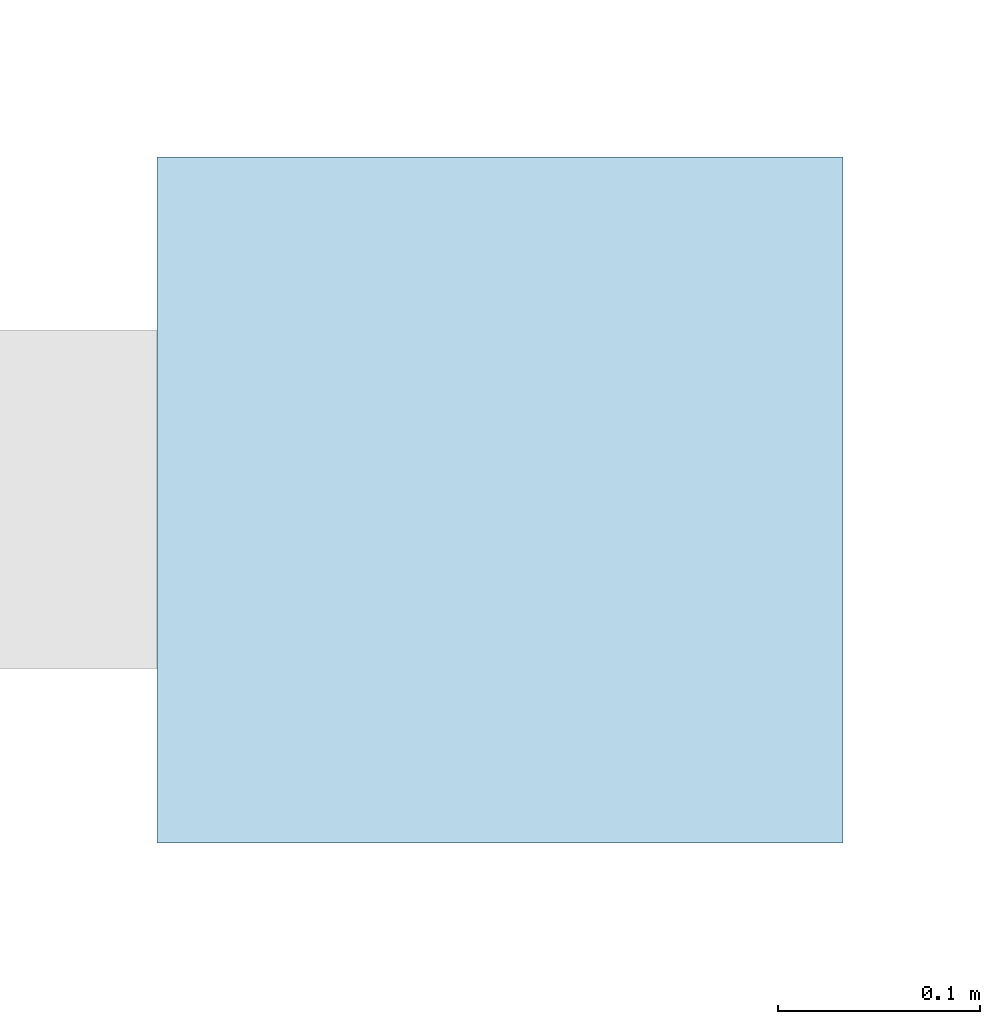
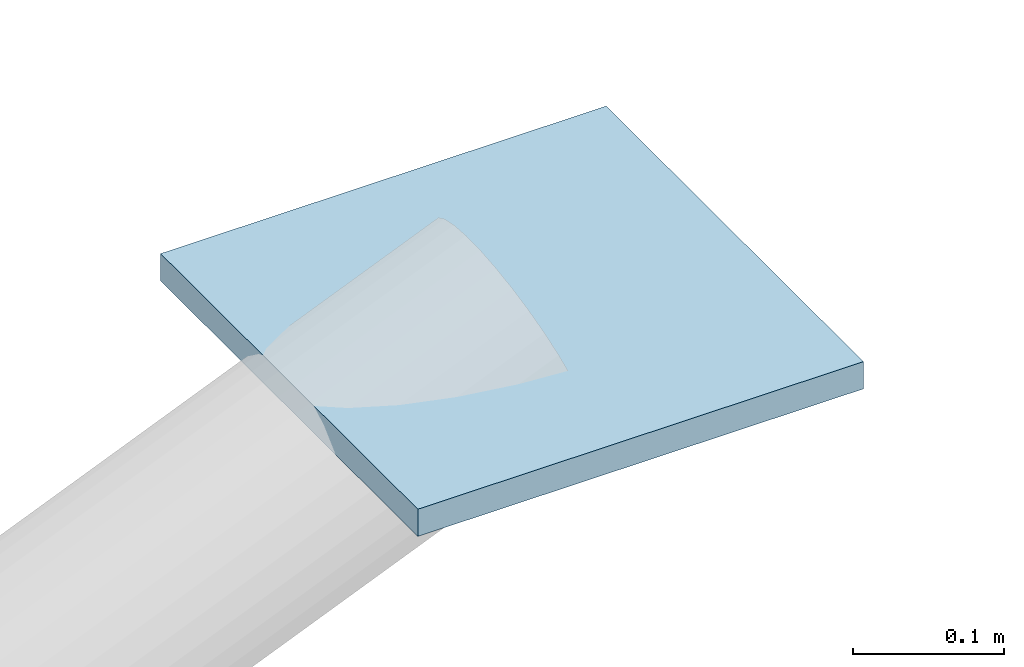
# One storey, part 117 of 140: 1 plate.
"""IFC4 building model written with IfcOpenShell, lengths in metres."""

import ifcopenshell
import ifcopenshell.guid

model = None  # the IFC model being written
_history = None  # IfcOwnerHistory: only IFC2X3 demands one
_inside = {}  # id of a spatial element -> (the spatial element, [elements in it])
_under = {}  # id of a project, library or spatial element -> (it, [spatial elements below it])
_declared = {}  # id of a project -> (the project, [libraries it declares])
_typed = {}  # id of a type object -> (the type object, [elements of that type])
_made_of = {}  # id of a material, layer set ... -> (it, [elements and type objects made of it])


def new_model(schema):
    """Start an empty IFC model of exactly this schema.

    Asked for "IFC4X3", IfcOpenShell would pick the latest addendum, in which some entities
    have other attributes; the version numbers below select the first issue.
    IFC2X3 requires an IfcOwnerHistory on every rooted entity: one is made here for all.
    """
    global model, _history
    if schema == "IFC4X3":
        model = ifcopenshell.file(schema_version=(4, 3, 0, 0))
    else:
        model = ifcopenshell.file(schema=schema)
    _inside.clear()
    _under.clear()
    _declared.clear()
    _typed.clear()
    _made_of.clear()
    _history = None
    if model.schema == "IFC2X3":
        org = make("IfcOrganization", Name="unknown")
        user = make(
            "IfcPersonAndOrganization",
            ThePerson=make("IfcPerson", FamilyName="unknown"),
            TheOrganization=org,
        )
        app = make(
            "IfcApplication",
            ApplicationDeveloper=org,
            Version="unknown",
            ApplicationFullName="unknown",
            ApplicationIdentifier="unknown",
        )
        _history = make(
            "IfcOwnerHistory",
            OwningUser=user,
            OwningApplication=app,
            ChangeAction="ADDED",
            CreationDate=0,
        )
    return model


def make(cls, **values):
    """One entity of the class cls with the attributes given. An attribute that is None is left unset."""
    return model.create_entity(
        cls, **{name: value for name, value in values.items() if value is not None}
    )


def rooted(cls, **values):
    """An entity with a GlobalId (a new one), such as an element, a storey or a relation."""
    return make(cls, GlobalId=ifcopenshell.guid.new(), OwnerHistory=_history, **values)


def si_unit(unit_type, name, prefix=None):
    """IfcSIUnit, for example si_unit("LENGTHUNIT", "METRE", prefix="MILLI")."""
    return make("IfcSIUnit", UnitType=unit_type, Prefix=prefix, Name=name)


def assignment(units):
    """IfcUnitAssignment: the units of a project."""
    return None if units is None else make("IfcUnitAssignment", Units=units)


def point(xyz):
    """IfcCartesianPoint."""
    return None if xyz is None else make("IfcCartesianPoint", Coordinates=xyz)


def direction(xyz):
    """IfcDirection."""
    return None if xyz is None else make("IfcDirection", DirectionRatios=xyz)


def frame(location, z_axis=None, x_axis=None):
    """IfcAxis2Placement3D, a coordinate frame: its origin and axes. An axis left out is left unset."""
    return make(
        "IfcAxis2Placement3D",
        Location=point(location),
        Axis=direction(z_axis),
        RefDirection=direction(x_axis),
    )


def frame_2d(location, x_axis=None):
    """IfcAxis2Placement2D, a coordinate frame in the plane: its origin and x axis."""
    return make(
        "IfcAxis2Placement2D", Location=point(location), RefDirection=direction(x_axis)
    )


def origin():
    """The frame at (0, 0, 0) with its axes left unset."""
    return frame((0.0, 0.0, 0.0))


def origin_2d():
    """The frame at (0, 0) in the plane with its x axis left unset."""
    return frame_2d((0.0, 0.0))


def place(relative_to, where):
    """IfcLocalPlacement: puts the frame where relative to a parent placement (None: the world)."""
    return make(
        "IfcLocalPlacement", PlacementRelTo=relative_to, RelativePlacement=where
    )


def context(
    kind, dimensions, precision=None, world=None, true_north=None, identifier=None
):
    """IfcGeometricRepresentationContext, for example the 3D "Model" context."""
    return make(
        "IfcGeometricRepresentationContext",
        ContextIdentifier=identifier,
        ContextType=kind,
        CoordinateSpaceDimension=dimensions,
        Precision=precision,
        WorldCoordinateSystem=world,
        TrueNorth=true_north,
    )


def subcontext(parent, identifier, kind, view, scale=None):
    """IfcGeometricRepresentationSubContext, for example "Body" below "Model"."""
    return make(
        "IfcGeometricRepresentationSubContext",
        ContextIdentifier=identifier,
        ContextType=kind,
        ParentContext=parent,
        TargetScale=scale,
        TargetView=view,
    )


def project(units=None, contexts=None):
    """IfcProject with its units and contexts."""
    return rooted(
        "IfcProject",
        Name="project",
        RepresentationContexts=contexts,
        UnitsInContext=assignment(units),
    )


def spatial(cls, under=None, at=None, **own):
    """A site, building, storey or space (cls), placed at a placement, below another one or the project."""
    s = rooted(cls, ObjectPlacement=at, **own)
    if under is not None:
        _under.setdefault(under.id(), (under, []))[1].append(s)
    return s


def profile(cls, at=None, kind="AREA", **sizes):
    """A parametric profile (cls). Its sizes go by their IFC names, for example OverallWidth=200.0."""
    return make(cls, ProfileType=kind, Position=at, **sizes)


def rectangle(**sizes):
    """IfcRectangleProfileDef."""
    return profile("IfcRectangleProfileDef", **sizes)


def extrude(swept, where, along, depth):
    """IfcExtrudedAreaSolid: the profile swept, set in the frame where, extruded along a direction by depth."""
    return make(
        "IfcExtrudedAreaSolid",
        SweptArea=swept,
        Position=where,
        ExtrudedDirection=direction(along),
        Depth=depth,
    )


def shape(context_of_items, identifier, shape_type, items):
    """IfcShapeRepresentation: the items that make up one representation, for example the "Body"."""
    return make(
        "IfcShapeRepresentation",
        ContextOfItems=context_of_items,
        RepresentationIdentifier=identifier,
        RepresentationType=shape_type,
        Items=items,
    )


def material(Name=None, Category=None):
    """IfcMaterial."""
    return make("IfcMaterial", Name=Name, Category=Category)


def layer(
    of_material, thickness, ventilated=None, Name=None, Category=None, Priority=None
):
    """IfcMaterialLayer: one layer of a wall or slab, of a material (None: an air gap)."""
    return make(
        "IfcMaterialLayer",
        Material=of_material,
        LayerThickness=thickness,
        IsVentilated=ventilated,
        Name=Name,
        Category=Category,
        Priority=Priority,
    )


def layer_set(layers, Name=None):
    """IfcMaterialLayerSet."""
    return make("IfcMaterialLayerSet", MaterialLayers=layers, LayerSetName=Name)


def made_of(thing, what):
    """Note that an element or type object is made of a material, layer set ...; save() writes the relation."""
    if what is not None:
        _made_of.setdefault(what.id(), (what, []))[1].append(thing)
    return thing


def type_object(cls, material=None, **own):
    """A type object (cls), such as IfcWallType, which elements share."""
    return made_of(rooted(cls, **own), material)


def element(
    cls,
    number,
    at=None,
    inside=None,
    cuts=None,
    type_object=None,
    material=None,
    context=None,
    identifier="Body",
    shape_type=None,
    held_by="IfcProductDefinitionShape",
    body=None,
    shapes=None,
    **own,
):
    """One element of the class cls, such as IfcWall. Its Tag is "e" and its number.

    at: its placement. inside: the storey or other place that contains it. cuts: it is an
    opening in that element (IfcRelVoidsElement). A single representation is given by context,
    identifier, shape_type and body (its items); several are given by shapes. held_by: the class
    of the entity that holds the representations. save() writes the other relations.
    """
    e = rooted(cls, Tag="e%d" % number, ObjectPlacement=at, **own)
    if body is not None:
        shapes = [shape(context, identifier, shape_type, body)]
    if shapes is not None:
        e.Representation = make(held_by, Representations=shapes)
    if inside is not None:
        _inside.setdefault(inside.id(), (inside, []))[1].append(e)
    if cuts is not None:
        rooted(
            "IfcRelVoidsElement", RelatingBuildingElement=cuts, RelatedOpeningElement=e
        )
    if type_object is not None:
        _typed.setdefault(type_object.id(), (type_object, []))[1].append(e)
    return made_of(e, material)


def aggregate(whole, parts):
    """IfcRelAggregates: a whole, such as a stair, and the parts it consists of."""
    return rooted("IfcRelAggregates", RelatingObject=whole, RelatedObjects=parts)


def save(model, path):
    """Write the relations noted so far, then the file.

    IfcRelAggregates (storeys below a building ...), IfcRelContainedInSpatialStructure (elements
    in a storey), IfcRelDefinesByType, IfcRelAssociatesMaterial and IfcRelDeclares: one each for
    every whole, place, type object, material and project.
    """
    for whole, parts in _under.values():
        aggregate(whole, parts)
    for where, things in _inside.values():
        rooted(
            "IfcRelContainedInSpatialStructure",
            RelatedElements=things,
            RelatingStructure=where,
        )
    for kind, things in _typed.values():
        rooted("IfcRelDefinesByType", RelatedObjects=things, RelatingType=kind)
    for what, things in _made_of.values():
        rooted("IfcRelAssociatesMaterial", RelatedObjects=things, RelatingMaterial=what)
    for by, libraries in _declared.values():
        rooted("IfcRelDeclares", RelatingContext=by, RelatedDefinitions=libraries)
    model.write(path)


model = new_model("IFC4")

# Units and contexts
model_context = context("Model", 3, precision=1e-05, world=origin(), true_north=direction((0.0, 1.0)))
body_context = subcontext(model_context, "Body", "Model", "MODEL_VIEW")
ifc_project = project(units=[si_unit("LENGTHUNIT", "METRE"), si_unit("AREAUNIT", "SQUARE_METRE"), si_unit("VOLUMEUNIT", "CUBIC_METRE"), si_unit("PLANEANGLEUNIT", "RADIAN"), si_unit("MASSUNIT", "GRAM", prefix="KILO")], contexts=[model_context])

# Site, building, storey
site_placement = place(None, origin())
site = spatial("IfcSite", under=ifc_project, at=site_placement, CompositionType="ELEMENT")
building_placement = place(site_placement, origin())
building = spatial("IfcBuilding", under=site, at=building_placement, Name="Deido Ridge Mobility Hub", CompositionType="ELEMENT")
storey_placement = place(building_placement, origin())
storey = spatial("IfcBuildingStorey", under=building, at=storey_placement, Name="L00", CompositionType="ELEMENT", Elevation=0.0)

# Plate
ifc_material = material(Name="Steel S355J2 EN 10025-2", Category="steel")
ifc_layer = layer(ifc_material, 0.02197265625, Name="Steel S355J2 EN 10025-2")
ifc_layer_set = layer_set([ifc_layer], Name="Steel S355J2 EN 10025-2")
plate_type = type_object("IfcPlateType", Name="PLT-CAP-22", PredefinedType="USERDEFINED", material=ifc_layer_set)
plate_placement = place(storey_placement, frame((126.0, 54.0, 3.93896484375), z_axis=(0.0, 0.0, 1.0), x_axis=(1.0, 0.0, 0.0)))
element("IfcPlate", 1, at=plate_placement, inside=storey, type_object=plate_type, Name="Diagrid node cap plate EC2 169", ObjectType="END CAP PLATE", PredefinedType="USERDEFINED", context=body_context, shape_type="SweptSolid", body=[
    extrude(rectangle(XDim=0.340087890625, YDim=0.340087890625, at=origin_2d()), origin(), (0.0, 0.0, 1.0), 0.02197265625),
])

save(model, "model.ifc")
